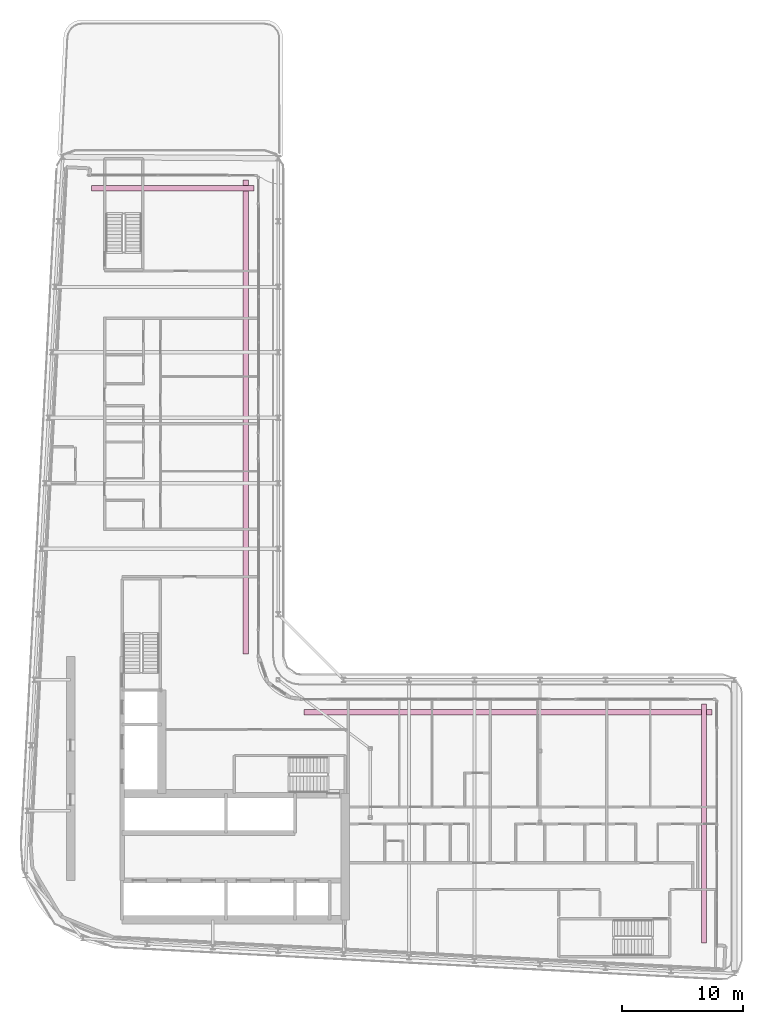
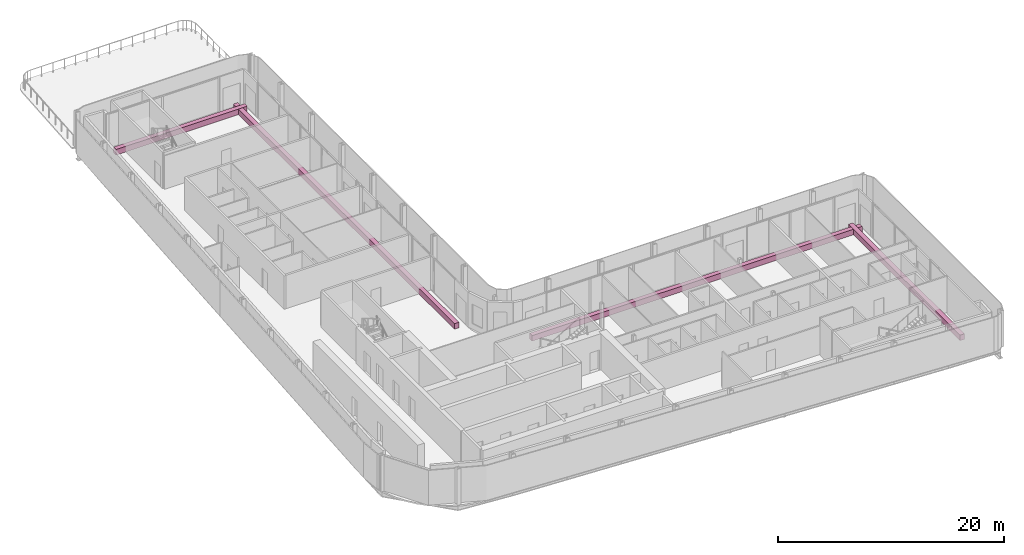
# One storey, part 22 of 22: 4 furniture elements.
"""IFC4 building model written with IfcOpenShell, lengths in metres."""

import ifcopenshell
import ifcopenshell.guid

model = None  # the IFC model being written
_history = None  # IfcOwnerHistory: only IFC2X3 demands one
_inside = {}  # id of a spatial element -> (the spatial element, [elements in it])
_under = {}  # id of a project, library or spatial element -> (it, [spatial elements below it])
_declared = {}  # id of a project -> (the project, [libraries it declares])
_typed = {}  # id of a type object -> (the type object, [elements of that type])
_made_of = {}  # id of a material, layer set ... -> (it, [elements and type objects made of it])


def new_model(schema):
    """Start an empty IFC model of exactly this schema.

    Asked for "IFC4X3", IfcOpenShell would pick the latest addendum, in which some entities
    have other attributes; the version numbers below select the first issue.
    IFC2X3 requires an IfcOwnerHistory on every rooted entity: one is made here for all.
    """
    global model, _history
    if schema == "IFC4X3":
        model = ifcopenshell.file(schema_version=(4, 3, 0, 0))
    else:
        model = ifcopenshell.file(schema=schema)
    _inside.clear()
    _under.clear()
    _declared.clear()
    _typed.clear()
    _made_of.clear()
    _history = None
    if model.schema == "IFC2X3":
        org = make("IfcOrganization", Name="unknown")
        user = make(
            "IfcPersonAndOrganization",
            ThePerson=make("IfcPerson", FamilyName="unknown"),
            TheOrganization=org,
        )
        app = make(
            "IfcApplication",
            ApplicationDeveloper=org,
            Version="unknown",
            ApplicationFullName="unknown",
            ApplicationIdentifier="unknown",
        )
        _history = make(
            "IfcOwnerHistory",
            OwningUser=user,
            OwningApplication=app,
            ChangeAction="ADDED",
            CreationDate=0,
        )
    return model


def make(cls, **values):
    """One entity of the class cls with the attributes given. An attribute that is None is left unset."""
    return model.create_entity(
        cls, **{name: value for name, value in values.items() if value is not None}
    )


def rooted(cls, **values):
    """An entity with a GlobalId (a new one), such as an element, a storey or a relation."""
    return make(cls, GlobalId=ifcopenshell.guid.new(), OwnerHistory=_history, **values)


def si_unit(unit_type, name, prefix=None):
    """IfcSIUnit, for example si_unit("LENGTHUNIT", "METRE", prefix="MILLI")."""
    return make("IfcSIUnit", UnitType=unit_type, Prefix=prefix, Name=name)


def assignment(units):
    """IfcUnitAssignment: the units of a project."""
    return None if units is None else make("IfcUnitAssignment", Units=units)


def point(xyz):
    """IfcCartesianPoint."""
    return None if xyz is None else make("IfcCartesianPoint", Coordinates=xyz)


def direction(xyz):
    """IfcDirection."""
    return None if xyz is None else make("IfcDirection", DirectionRatios=xyz)


def frame(location, z_axis=None, x_axis=None):
    """IfcAxis2Placement3D, a coordinate frame: its origin and axes. An axis left out is left unset."""
    return make(
        "IfcAxis2Placement3D",
        Location=point(location),
        Axis=direction(z_axis),
        RefDirection=direction(x_axis),
    )


def frame_2d(location, x_axis=None):
    """IfcAxis2Placement2D, a coordinate frame in the plane: its origin and x axis."""
    return make(
        "IfcAxis2Placement2D", Location=point(location), RefDirection=direction(x_axis)
    )


def origin():
    """The frame at (0, 0, 0) with its axes left unset."""
    return frame((0.0, 0.0, 0.0))


def origin_2d():
    """The frame at (0, 0) in the plane with its x axis left unset."""
    return frame_2d((0.0, 0.0))


def place(relative_to, where):
    """IfcLocalPlacement: puts the frame where relative to a parent placement (None: the world)."""
    return make(
        "IfcLocalPlacement", PlacementRelTo=relative_to, RelativePlacement=where
    )


def context(
    kind, dimensions, precision=None, world=None, true_north=None, identifier=None
):
    """IfcGeometricRepresentationContext, for example the 3D "Model" context."""
    return make(
        "IfcGeometricRepresentationContext",
        ContextIdentifier=identifier,
        ContextType=kind,
        CoordinateSpaceDimension=dimensions,
        Precision=precision,
        WorldCoordinateSystem=world,
        TrueNorth=true_north,
    )


def subcontext(parent, identifier, kind, view, scale=None):
    """IfcGeometricRepresentationSubContext, for example "Body" below "Model"."""
    return make(
        "IfcGeometricRepresentationSubContext",
        ContextIdentifier=identifier,
        ContextType=kind,
        ParentContext=parent,
        TargetScale=scale,
        TargetView=view,
    )


def project(units=None, contexts=None):
    """IfcProject with its units and contexts."""
    return rooted(
        "IfcProject",
        Name="project",
        RepresentationContexts=contexts,
        UnitsInContext=assignment(units),
    )


def spatial(cls, under=None, at=None, **own):
    """A site, building, storey or space (cls), placed at a placement, below another one or the project."""
    s = rooted(cls, ObjectPlacement=at, **own)
    if under is not None:
        _under.setdefault(under.id(), (under, []))[1].append(s)
    return s


def profile(cls, at=None, kind="AREA", **sizes):
    """A parametric profile (cls). Its sizes go by their IFC names, for example OverallWidth=200.0."""
    return make(cls, ProfileType=kind, Position=at, **sizes)


def rectangle(**sizes):
    """IfcRectangleProfileDef."""
    return profile("IfcRectangleProfileDef", **sizes)


def extrude(swept, where, along, depth):
    """IfcExtrudedAreaSolid: the profile swept, set in the frame where, extruded along a direction by depth."""
    return make(
        "IfcExtrudedAreaSolid",
        SweptArea=swept,
        Position=where,
        ExtrudedDirection=direction(along),
        Depth=depth,
    )


def shape(context_of_items, identifier, shape_type, items):
    """IfcShapeRepresentation: the items that make up one representation, for example the "Body"."""
    return make(
        "IfcShapeRepresentation",
        ContextOfItems=context_of_items,
        RepresentationIdentifier=identifier,
        RepresentationType=shape_type,
        Items=items,
    )


def material(Name=None, Category=None):
    """IfcMaterial."""
    return make("IfcMaterial", Name=Name, Category=Category)


def made_of(thing, what):
    """Note that an element or type object is made of a material, layer set ...; save() writes the relation."""
    if what is not None:
        _made_of.setdefault(what.id(), (what, []))[1].append(thing)
    return thing


def type_object(cls, material=None, **own):
    """A type object (cls), such as IfcWallType, which elements share."""
    return made_of(rooted(cls, **own), material)


def element(
    cls,
    number,
    at=None,
    inside=None,
    cuts=None,
    type_object=None,
    material=None,
    context=None,
    identifier="Body",
    shape_type=None,
    held_by="IfcProductDefinitionShape",
    body=None,
    shapes=None,
    **own,
):
    """One element of the class cls, such as IfcWall. Its Tag is "e" and its number.

    at: its placement. inside: the storey or other place that contains it. cuts: it is an
    opening in that element (IfcRelVoidsElement). A single representation is given by context,
    identifier, shape_type and body (its items); several are given by shapes. held_by: the class
    of the entity that holds the representations. save() writes the other relations.
    """
    e = rooted(cls, Tag="e%d" % number, ObjectPlacement=at, **own)
    if body is not None:
        shapes = [shape(context, identifier, shape_type, body)]
    if shapes is not None:
        e.Representation = make(held_by, Representations=shapes)
    if inside is not None:
        _inside.setdefault(inside.id(), (inside, []))[1].append(e)
    if cuts is not None:
        rooted(
            "IfcRelVoidsElement", RelatingBuildingElement=cuts, RelatedOpeningElement=e
        )
    if type_object is not None:
        _typed.setdefault(type_object.id(), (type_object, []))[1].append(e)
    return made_of(e, material)


def aggregate(whole, parts):
    """IfcRelAggregates: a whole, such as a stair, and the parts it consists of."""
    return rooted("IfcRelAggregates", RelatingObject=whole, RelatedObjects=parts)


def save(model, path):
    """Write the relations noted so far, then the file.

    IfcRelAggregates (storeys below a building ...), IfcRelContainedInSpatialStructure (elements
    in a storey), IfcRelDefinesByType, IfcRelAssociatesMaterial and IfcRelDeclares: one each for
    every whole, place, type object, material and project.
    """
    for whole, parts in _under.values():
        aggregate(whole, parts)
    for where, things in _inside.values():
        rooted(
            "IfcRelContainedInSpatialStructure",
            RelatedElements=things,
            RelatingStructure=where,
        )
    for kind, things in _typed.values():
        rooted("IfcRelDefinesByType", RelatedObjects=things, RelatingType=kind)
    for what, things in _made_of.values():
        rooted("IfcRelAssociatesMaterial", RelatedObjects=things, RelatingMaterial=what)
    for by, libraries in _declared.values():
        rooted("IfcRelDeclares", RelatingContext=by, RelatedDefinitions=libraries)
    model.write(path)


model = new_model("IFC4")

# Units and contexts
model_context = context("Model", 3, precision=1e-05, world=origin(), true_north=direction((0.0, 1.0)))
body_context = subcontext(model_context, "Body", "Model", "MODEL_VIEW")
ifc_project = project(units=[si_unit("LENGTHUNIT", "METRE"), si_unit("AREAUNIT", "SQUARE_METRE"), si_unit("VOLUMEUNIT", "CUBIC_METRE"), si_unit("PLANEANGLEUNIT", "RADIAN"), si_unit("MASSUNIT", "GRAM", prefix="KILO")], contexts=[model_context])

# Site, building, storey
site_placement = place(None, origin())
site = spatial("IfcSite", under=ifc_project, at=site_placement, CompositionType="ELEMENT")
building_placement = place(site_placement, origin())
building = spatial("IfcBuilding", under=site, at=building_placement, Name="Kheshtan School and Residences Tower", CompositionType="ELEMENT")
storey_placement = place(building_placement, frame((0.0, 0.0, 216.199951171875)))
storey = spatial("IfcBuildingStorey", under=building, at=storey_placement, Name="L50", CompositionType="ELEMENT", Elevation=216.199951171875)

# Furniture
ifc_material = material(Name="Precast concrete C30/37 in terracotta finish", Category="masonry")
furniture_type = type_object("IfcFurnitureType", Name="Planter trough", AssemblyPlace="NOTDEFINED", PredefinedType="USERDEFINED", material=ifc_material)
furniture_1_placement = place(storey_placement, frame((38.912109375, 86.125, 0.0), z_axis=(0.0, 0.0, 1.0), x_axis=(1.0, 0.0, 0.0)))
element("IfcFurniture", 1, at=furniture_1_placement, inside=storey, type_object=furniture_type, Name="Planter L50", ObjectType="PLANTER", PredefinedType="USERDEFINED", context=body_context, shape_type="SweptSolid", body=[
    extrude(rectangle(XDim=13.3759765625, YDim=0.449951171875, at=origin_2d()), origin(), (0.0, 0.0, 1.0), 0.60009765625),
])
furniture_2_placement = place(storey_placement, frame((44.925048828125, 67.264892578125, 0.0), z_axis=(0.0, 0.0, 1.0), x_axis=(0.0, -1.0, 0.0)))
element("IfcFurniture", 2, at=furniture_2_placement, inside=storey, type_object=furniture_type, Name="Planter L50", ObjectType="PLANTER", PredefinedType="USERDEFINED", context=body_context, shape_type="SweptSolid", body=[
    extrude(rectangle(XDim=39.070068359375, YDim=0.449951171875, at=origin_2d()), origin(), (0.0, 0.0, 1.0), 0.60009765625),
])
furniture_3_placement = place(storey_placement, frame((66.56494140625, 42.925048828125, 0.0), z_axis=(0.0, 0.0, 1.0), x_axis=(1.0, 0.0, 0.0)))
element("IfcFurniture", 3, at=furniture_3_placement, inside=storey, type_object=furniture_type, Name="Planter L50", ObjectType="PLANTER", PredefinedType="USERDEFINED", context=body_context, shape_type="SweptSolid", body=[
    extrude(rectangle(XDim=33.669921875, YDim=0.449951171875, at=origin_2d()), origin(), (0.0, 0.0, 1.0), 0.60009765625),
])
furniture_4_placement = place(storey_placement, frame((82.72509765625, 33.73291015625, 0.0), z_axis=(0.0, 0.0, 1.0), x_axis=(0.0, -1.0, 0.0)))
element("IfcFurniture", 4, at=furniture_4_placement, inside=storey, type_object=furniture_type, Name="Planter L50", ObjectType="PLANTER", PredefinedType="USERDEFINED", context=body_context, shape_type="SweptSolid", body=[
    extrude(rectangle(XDim=19.73291015625, YDim=0.449951171875, at=origin_2d()), origin(), (0.0, 0.0, 1.0), 0.60009765625),
])

save(model, "model.ifc")
